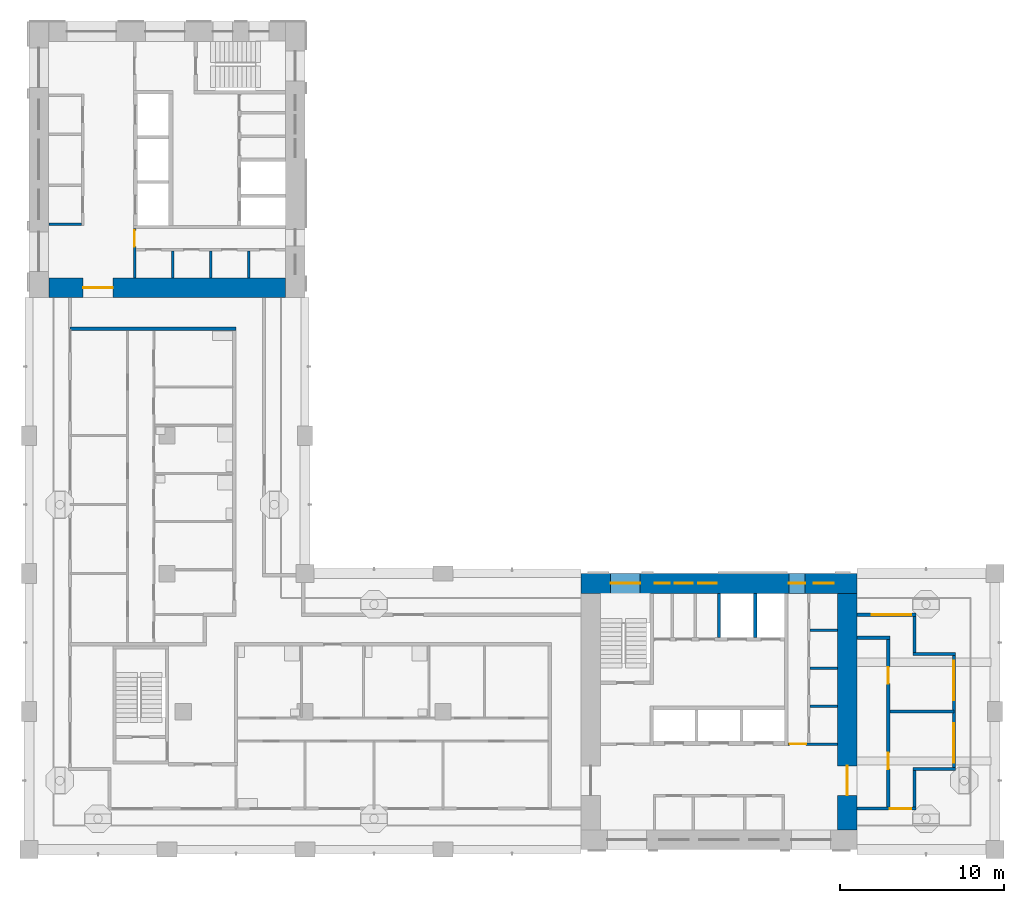
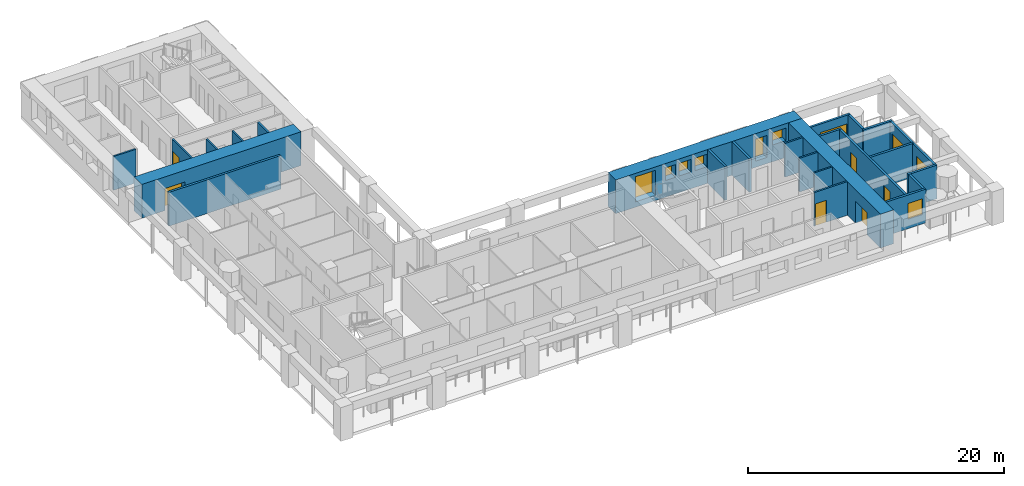
# One storey, part 5 of 13: 25 walls, 9 windows, 7 doors, 16 openings.
"""IFC4 building model written with IfcOpenShell, lengths in metres."""

from ifc_helpers import new_model, si_unit, direction, frame, frame_2d, origin, place, context, subcontext, project, spatial, rectangle, extrude, material, layer, layer_set, type_object, element, fill, save


model = new_model("IFC4")

# Units and contexts
model_context = context("Model", 3, precision=1e-05, world=origin(), true_north=direction((0.0, 1.0)))
body_context = subcontext(model_context, "Body", "Model", "MODEL_VIEW")
ifc_project = project(units=[si_unit("LENGTHUNIT", "METRE"), si_unit("AREAUNIT", "SQUARE_METRE"), si_unit("VOLUMEUNIT", "CUBIC_METRE"), si_unit("PLANEANGLEUNIT", "RADIAN"), si_unit("MASSUNIT", "GRAM", prefix="KILO")], contexts=[model_context])

# Site, building, storey
site_placement = place(None, origin())
site = spatial("IfcSite", under=ifc_project, at=site_placement, CompositionType="ELEMENT")
building_placement = place(site_placement, origin())
building = spatial("IfcBuilding", under=site, at=building_placement, Name="Vermilion Gate Residences", CompositionType="ELEMENT")
storey_placement = place(building_placement, frame((0.0, 0.0, 158.199951171875)))
storey = spatial("IfcBuildingStorey", under=building, at=storey_placement, Name="L40", CompositionType="ELEMENT", Elevation=158.199951171875)

# Wall, opening, door
ifc_material_1 = material(Name="Masonry blockwork", Category="masonry")
ifc_layer_1 = layer(ifc_material_1, 0.14990234375)
ifc_layer_set_1 = layer_set([ifc_layer_1], Name="BLOCKWORK PARTITION 150 EI 120")
wall_type_1 = type_object("IfcWallType", Name="BLOCKWORK PARTITION 150 EI 120", PredefinedType="PARTITIONING", material=ifc_layer_set_1)
wall_1_placement = place(storey_placement, frame((54.60009765625, 14.824951171875, 0.0), z_axis=(0.0, 0.0, 1.0), x_axis=(1.0, 0.0, 0.0)))
wall_1 = element("IfcWall", 1, at=wall_1_placement, inside=storey, type_object=wall_type_1, Name="Core room partition A40-ES-S", PredefinedType="PARTITIONING", context=body_context, shape_type="SweptSolid", body=[
    extrude(rectangle(XDim=3.0, YDim=0.14990234375, at=frame_2d((1.5, 0.0))), origin(), (0.0, 0.0, 1.0), 3.219970703125),
])
opening_1_placement = place(wall_1_placement, frame((0.10009765625, 0.0, 0.0)))
opening_1 = element("IfcOpeningElement", 2, at=opening_1_placement, cuts=wall_1, Name="Opening DK40016", PredefinedType="OPENING", context=body_context, shape_type="SweptSolid", body=[
    extrude(rectangle(XDim=1.0, YDim=2.10009765625, at=frame_2d((0.5, 1.050048828125))), frame((0.0, 0.0849609375, 0.0), z_axis=(0.0, -1.0, 0.0), x_axis=(1.0, 0.0, 0.0)), (0.0, 0.0, 1.0), 0.169921875),
])
ifc_material_2 = material(Name="Steel", Category="steel")
door_type_1 = type_object("IfcDoorType", Name="FIRE DOOR FD60 1000 X 2100", OperationType="SINGLE_SWING_LEFT", PredefinedType="DOOR", material=ifc_material_2)
door_1_placement = place(opening_1_placement, frame((1.0, 0.0, 0.0), z_axis=(0.0, 0.0, 1.0), x_axis=(-1.0, 0.0, 0.0)))
door_1 = element("IfcDoor", 3, at=door_1_placement, inside=storey, type_object=door_type_1, Name="Service corridor door A40", OperationType="SINGLE_SWING_LEFT", OverallHeight=2.10009765625, OverallWidth=1.0, PredefinedType="DOOR", context=body_context, shape_type="SweptSolid", body=[
    extrude(rectangle(XDim=1.0, YDim=2.10009765625, at=frame_2d((0.5, 1.050048828125))), frame((0.0, 0.02490234375, 0.0), z_axis=(0.0, -1.0, 0.0), x_axis=(1.0, 0.0, 0.0)), (0.0, 0.0, 1.0), 0.050048828125),
])
fill(opening_1, door_1)

# Walls
for number, where, z_axis, x_axis, name in (
    (4, (55.949951171875, 17.137451171875, 0.0), (0.0, 0.0, 1.0), (1.0, 0.0, 0.0), "Core room partition A40-ES-P0"),
    (5, (55.949951171875, 19.449951171875, 0.0), (0.0, 0.0, 1.0), (1.0, 0.0, 0.0), "Core room partition A40-ES-P1"),
    (6, (55.949951171875, 21.762451171875, 0.0), (0.0, 0.0, 1.0), (1.0, 0.0, 0.0), "Core room partition A40-ES-P2"),
):
    element("IfcWall", number, at=place(storey_placement, frame(where, z_axis=z_axis, x_axis=x_axis)), inside=storey, type_object=wall_type_1, Name=name, PredefinedType="PARTITIONING", context=body_context, shape_type="SweptSolid", body=[
        extrude(rectangle(XDim=1.650146484375, YDim=0.14990234375, at=frame_2d((0.8251953125, 0.0))), origin(), (0.0, 0.0, 1.0), 3.219970703125),
    ])
wall_2_placement = place(storey_placement, frame((9.60009765625, 46.47509765625, 0.0), z_axis=(0.0, 0.0, 1.0), x_axis=(1.0, 0.0, 0.0)))
element("IfcWall", 7, at=wall_2_placement, inside=storey, type_object=wall_type_1, Name="Core room partition B40-RW-E", PredefinedType="PARTITIONING", context=body_context, shape_type="SweptSolid", body=[
    extrude(rectangle(XDim=2.0, YDim=0.14990234375, at=frame_2d((1.0, 0.0))), origin(), (0.0, 0.0, 1.0), 3.219970703125),
])

# Wall, opening, door
wall_3_placement = place(storey_placement, frame((14.824951171875, 46.199951171875, 0.0), z_axis=(0.0, 0.0, 1.0), x_axis=(0.0, -1.0, 0.0)))
wall_3 = element("IfcWall", 8, at=wall_3_placement, inside=storey, type_object=wall_type_1, Name="Core room partition B40-ES-S", PredefinedType="PARTITIONING", context=body_context, shape_type="SweptSolid", body=[
    extrude(rectangle(XDim=3.0, YDim=0.14990234375, at=frame_2d((1.5, 0.0))), origin(), (0.0, 0.0, 1.0), 3.219970703125),
])
opening_2_placement = place(wall_3_placement, frame((0.10009765625, 0.0, 0.0)))
opening_2 = element("IfcOpeningElement", 9, at=opening_2_placement, cuts=wall_3, Name="Opening DK40115", PredefinedType="OPENING", context=body_context, shape_type="SweptSolid", body=[
    extrude(rectangle(XDim=1.0, YDim=2.10009765625, at=frame_2d((0.5, 1.050048828125))), frame((0.0, 0.0849609375, 0.0), z_axis=(0.0, -1.0, 0.0), x_axis=(1.0, 0.0, 0.0)), (0.0, 0.0, 1.0), 0.169921875),
])
door_2_placement = place(opening_2_placement, frame((1.0, 0.0, 0.0), z_axis=(0.0, 0.0, 1.0), x_axis=(-1.0, 0.0, 0.0)))
door_2 = element("IfcDoor", 10, at=door_2_placement, inside=storey, type_object=door_type_1, Name="Service corridor door B40", OperationType="SINGLE_SWING_LEFT", OverallHeight=2.10009765625, OverallWidth=1.0, PredefinedType="DOOR", context=body_context, shape_type="SweptSolid", body=[
    extrude(rectangle(XDim=1.0, YDim=2.10009765625, at=frame_2d((0.5, 1.050048828125))), frame((0.0, 0.02490234375, 0.0), z_axis=(0.0, -1.0, 0.0), x_axis=(1.0, 0.0, 0.0)), (0.0, 0.0, 1.0), 0.050048828125),
])
fill(opening_2, door_2)

# Walls
for number, where, z_axis, x_axis, name in (
    (11, (17.137451171875, 44.85009765625, 0.0), (0.0, 0.0, 1.0), (0.0, -1.0, 0.0), "Core room partition B40-ES-P0"),
    (12, (19.449951171875, 44.85009765625, 0.0), (0.0, 0.0, 1.0), (0.0, -1.0, 0.0), "Core room partition B40-ES-P1"),
    (13, (21.762451171875, 44.85009765625, 0.0), (0.0, 0.0, 1.0), (0.0, -1.0, 0.0), "Core room partition B40-ES-P2"),
):
    element("IfcWall", number, at=place(storey_placement, frame(where, z_axis=z_axis, x_axis=x_axis)), inside=storey, type_object=wall_type_1, Name=name, PredefinedType="PARTITIONING", context=body_context, shape_type="SweptSolid", body=[
        extrude(rectangle(XDim=1.650146484375, YDim=0.14990234375, at=frame_2d((0.8251953125, 0.0))), origin(), (0.0, 0.0, 1.0), 3.219970703125),
    ])

# Wall, opening, window
ifc_material_3 = material(Name="Insulated steel stud wall with terracotta rainscreen", Category="masonry")
ifc_layer_2 = layer(ifc_material_3, 0.199951171875)
ifc_layer_set_2 = layer_set([ifc_layer_2], Name="EXTERNAL WALL 200 TERRACOTTA RAINSCREEN")
wall_type_2 = type_object("IfcWallType", Name="EXTERNAL WALL 200 TERRACOTTA RAINSCREEN", PredefinedType="SOLIDWALL", material=ifc_layer_set_2)
wall_4_placement = place(storey_placement, frame((58.800048828125, 10.89990234375, 0.0), z_axis=(0.0, 0.0, 1.0), x_axis=(1.0, 0.0, 0.0)))
wall_4 = element("IfcWall", 14, at=wall_4_placement, inside=storey, type_object=wall_type_2, Name="External wall", PredefinedType="SOLIDWALL", context=body_context, shape_type="SweptSolid", body=[
    extrude(rectangle(XDim=3.599853515625, YDim=0.199951171875, at=frame_2d((1.7998046875, 0.0))), origin(), (0.0, 0.0, 1.0), 3.219970703125),
])
opening_3_placement = place(wall_4_placement, frame((2.0, 0.0, 0.89990234375)))
opening_3 = element("IfcOpeningElement", 15, at=opening_3_placement, cuts=wall_4, Name="Opening WE40015", PredefinedType="OPENING", context=body_context, shape_type="SweptSolid", body=[
    extrude(rectangle(XDim=1.300048828125, YDim=1.5, at=frame_2d((0.64990234375, 0.75))), frame((0.0, 0.10986328125, 0.0), z_axis=(0.0, -1.0, 0.0), x_axis=(1.0, 0.0, 0.0)), (0.0, 0.0, 1.0), 0.219970703125),
])
ifc_material_4 = material(Name="Aluminium and clear glass", Category="aluminium")
window_type_1 = type_object("IfcWindowType", Name="WINDOW 1300 X 1500", PartitioningType="SINGLE_PANEL", PredefinedType="WINDOW", material=ifc_material_4)
window_1_placement = place(opening_3_placement, origin())
window_1 = element("IfcWindow", 16, at=window_1_placement, inside=storey, type_object=window_type_1, Name="Window", OverallHeight=1.5, OverallWidth=1.300048828125, PartitioningType="SINGLE_PANEL", PredefinedType="WINDOW", context=body_context, shape_type="SweptSolid", body=[
    extrude(rectangle(XDim=1.300048828125, YDim=1.5, at=frame_2d((0.64990234375, 0.75))), frame((0.0, 0.030029296875, 0.0), z_axis=(0.0, -1.0, 0.0), x_axis=(1.0, 0.0, 0.0)), (0.0, 0.0, 1.0), 0.06005859375),
])
fill(opening_3, window_1)

# Walls
wall_5_placement = place(storey_placement, frame((62.300048828125, 11.0, 0.0), z_axis=(0.0, 0.0, 1.0), x_axis=(0.0, 1.0, 0.0)))
element("IfcWall", 17, at=wall_5_placement, inside=storey, type_object=wall_type_2, Name="External wall", PredefinedType="SOLIDWALL", context=body_context, shape_type="SweptSolid", body=[
    extrude(rectangle(XDim=2.199951171875, YDim=0.199951171875, at=frame_2d((1.10009765625, 0.0))), origin(), (0.0, 0.0, 1.0), 3.219970703125),
])
wall_6_placement = place(storey_placement, frame((62.199951171875, 13.300048828125, 0.0), z_axis=(0.0, 0.0, 1.0), x_axis=(1.0, 0.0, 0.0)))
element("IfcWall", 18, at=wall_6_placement, inside=storey, type_object=wall_type_2, Name="External wall", PredefinedType="SOLIDWALL", context=body_context, shape_type="SweptSolid", body=[
    extrude(rectangle(XDim=2.60009765625, YDim=0.199951171875, at=frame_2d((1.300048828125, 0.0))), origin(), (0.0, 0.0, 1.0), 3.219970703125),
])

# Wall, openings, door, window
wall_7_placement = place(storey_placement, frame((64.699951171875, 13.39990234375, 0.0), z_axis=(0.0, 0.0, 1.0), x_axis=(0.0, 1.0, 0.0)))
wall_7 = element("IfcWall", 19, at=wall_7_placement, inside=storey, type_object=wall_type_2, Name="External wall", PredefinedType="SOLIDWALL", context=body_context, shape_type="SweptSolid", body=[
    extrude(rectangle(XDim=6.800048828125, YDim=0.199951171875, at=frame_2d((3.39990234375, 0.0))), origin(), (0.0, 0.0, 1.0), 3.219970703125),
])
opening_4_placement = place(wall_7_placement, frame((0.300048828125, 0.0, 0.89990234375)))
opening_4 = element("IfcOpeningElement", 20, at=opening_4_placement, cuts=wall_7, Name="Opening WE40016", PredefinedType="OPENING", context=body_context, shape_type="SweptSolid", body=[
    extrude(rectangle(XDim=2.39990234375, YDim=1.5, at=frame_2d((1.199951171875, 0.75))), frame((0.0, 0.10986328125, 0.0), z_axis=(0.0, -1.0, 0.0), x_axis=(1.0, 0.0, 0.0)), (0.0, 0.0, 1.0), 0.219970703125),
])
opening_5_placement = place(wall_7_placement, frame((4.10009765625, 0.0, 0.0)))
opening_5 = element("IfcOpeningElement", 21, at=opening_5_placement, cuts=wall_7, Name="Opening DE40019", PredefinedType="OPENING", context=body_context, shape_type="SweptSolid", body=[
    extrude(rectangle(XDim=2.39990234375, YDim=2.199951171875, at=frame_2d((1.199951171875, 1.10009765625))), frame((0.0, 0.10986328125, 0.0), z_axis=(0.0, -1.0, 0.0), x_axis=(1.0, 0.0, 0.0)), (0.0, 0.0, 1.0), 0.219970703125),
])
ifc_material_5 = material(Name="Aluminium and clear glass", Category="aluminium")
door_type_2 = type_object("IfcDoorType", Name="SLIDING GLAZED DOOR 2400 X 2200", OperationType="DOUBLE_DOOR_SLIDING", PredefinedType="DOOR", material=ifc_material_5)
door_3_placement = place(opening_5_placement, origin())
door_3 = element("IfcDoor", 22, at=door_3_placement, inside=storey, type_object=door_type_2, Name="Loggia sliding door", OperationType="DOUBLE_DOOR_SLIDING", OverallHeight=2.199951171875, OverallWidth=2.39990234375, PredefinedType="DOOR", context=body_context, shape_type="SweptSolid", body=[
    extrude(rectangle(XDim=2.39990234375, YDim=2.199951171875, at=frame_2d((1.199951171875, 1.10009765625))), frame((0.0, 0.02490234375, 0.0), z_axis=(0.0, -1.0, 0.0), x_axis=(1.0, 0.0, 0.0)), (0.0, 0.0, 1.0), 0.050048828125),
])
fill(opening_5, door_3)
ifc_material_6 = material(Name="Aluminium and clear glass", Category="aluminium")
window_type_2 = type_object("IfcWindowType", Name="WINDOW 2400 X 1500", PartitioningType="SINGLE_PANEL", PredefinedType="WINDOW", material=ifc_material_6)
window_2_placement = place(opening_4_placement, origin())
window_2 = element("IfcWindow", 23, at=window_2_placement, inside=storey, type_object=window_type_2, Name="Window", OverallHeight=1.5, OverallWidth=2.39990234375, PartitioningType="SINGLE_PANEL", PredefinedType="WINDOW", context=body_context, shape_type="SweptSolid", body=[
    extrude(rectangle(XDim=2.39990234375, YDim=1.5, at=frame_2d((1.199951171875, 0.75))), frame((0.0, 0.030029296875, 0.0), z_axis=(0.0, -1.0, 0.0), x_axis=(1.0, 0.0, 0.0)), (0.0, 0.0, 1.0), 0.06005859375),
])
fill(opening_4, window_2)

# Walls
wall_8_placement = place(storey_placement, frame((64.800048828125, 20.300048828125, 0.0), z_axis=(0.0, 0.0, 1.0), x_axis=(-1.0, 0.0, 0.0)))
element("IfcWall", 24, at=wall_8_placement, inside=storey, type_object=wall_type_2, Name="External wall", PredefinedType="SOLIDWALL", context=body_context, shape_type="SweptSolid", body=[
    extrude(rectangle(XDim=2.60009765625, YDim=0.199951171875, at=frame_2d((1.300048828125, 0.0))), origin(), (0.0, 0.0, 1.0), 3.219970703125),
])
wall_9_placement = place(storey_placement, frame((62.300048828125, 20.39990234375, 0.0), z_axis=(0.0, 0.0, 1.0), x_axis=(0.0, 1.0, 0.0)))
element("IfcWall", 25, at=wall_9_placement, inside=storey, type_object=wall_type_2, Name="External wall", PredefinedType="SOLIDWALL", context=body_context, shape_type="SweptSolid", body=[
    extrude(rectangle(XDim=2.2001953125, YDim=0.199951171875, at=frame_2d((1.10009765625, 0.0))), origin(), (0.0, 0.0, 1.0), 3.219970703125),
])

# Wall, opening, window
wall_10_placement = place(storey_placement, frame((62.39990234375, 22.699951171875, 0.0), z_axis=(0.0, 0.0, 1.0), x_axis=(-1.0, 0.0, 0.0)))
wall_10 = element("IfcWall", 26, at=wall_10_placement, inside=storey, type_object=wall_type_2, Name="External wall", PredefinedType="SOLIDWALL", context=body_context, shape_type="SweptSolid", body=[
    extrude(rectangle(XDim=3.599853515625, YDim=0.199951171875, at=frame_2d((1.7998046875, 0.0))), origin(), (0.0, 0.0, 1.0), 3.219970703125),
])
opening_6_placement = place(wall_10_placement, frame((0.300048828125, 0.0, 0.89990234375)))
opening_6 = element("IfcOpeningElement", 27, at=opening_6_placement, cuts=wall_10, Name="Opening WE40018", PredefinedType="OPENING", context=body_context, shape_type="SweptSolid", body=[
    extrude(rectangle(XDim=2.39990234375, YDim=1.5, at=frame_2d((1.199951171875, 0.75))), frame((0.0, 0.10986328125, 0.0), z_axis=(0.0, -1.0, 0.0), x_axis=(1.0, 0.0, 0.0)), (0.0, 0.0, 1.0), 0.219970703125),
])
window_3_placement = place(opening_6_placement, origin())
window_3 = element("IfcWindow", 28, at=window_3_placement, inside=storey, type_object=window_type_2, Name="Window", OverallHeight=1.5, OverallWidth=2.39990234375, PartitioningType="SINGLE_PANEL", PredefinedType="WINDOW", context=body_context, shape_type="SweptSolid", body=[
    extrude(rectangle(XDim=2.39990234375, YDim=1.5, at=frame_2d((1.199951171875, 0.75))), frame((0.0, 0.030029296875, 0.0), z_axis=(0.0, -1.0, 0.0), x_axis=(1.0, 0.0, 0.0)), (0.0, 0.0, 1.0), 0.06005859375),
])
fill(opening_6, window_3)

# Walls
ifc_material_7 = material(Name="Fire-rated plasterboard on steel studs", Category="steel")
ifc_layer_3 = layer(ifc_material_7, 0.199951171875)
ifc_layer_set_3 = layer_set([ifc_layer_3], Name="PARTY WALL 200 EI 120")
wall_type_3 = type_object("IfcWallType", Name="PARTY WALL 200 EI 120", PredefinedType="PARTITIONING", material=ifc_layer_set_3)
wall_11_placement = place(storey_placement, frame((60.800048828125, 16.800048828125, 0.0), z_axis=(0.0, 0.0, 1.0), x_axis=(1.0, 0.0, 0.0)))
element("IfcWall", 29, at=wall_11_placement, inside=storey, type_object=wall_type_3, Name="Party and corridor wall", PredefinedType="PARTITIONING", context=body_context, shape_type="SweptSolid", body=[
    extrude(rectangle(XDim=3.89990234375, YDim=0.199951171875, at=frame_2d((1.949951171875, 0.0))), origin(), (0.0, 0.0, 1.0), 3.219970703125),
])
wall_12_placement = place(storey_placement, frame((58.800048828125, 21.300048828125, 0.0), z_axis=(0.0, 0.0, 1.0), x_axis=(1.0, 0.0, 0.0)))
element("IfcWall", 30, at=wall_12_placement, inside=storey, type_object=wall_type_3, Name="Party and corridor wall", PredefinedType="PARTITIONING", context=body_context, shape_type="SweptSolid", body=[
    extrude(rectangle(XDim=2.0, YDim=0.199951171875, at=frame_2d((1.0, 0.0))), origin(), (0.0, 0.0, 1.0), 3.219970703125),
])
wall_13_placement = place(storey_placement, frame((10.89990234375, 40.10009765625, 0.0), z_axis=(0.0, 0.0, 1.0), x_axis=(1.0, 0.0, 0.0)))
element("IfcWall", 31, at=wall_13_placement, inside=storey, type_object=wall_type_3, Name="Party and corridor wall", PredefinedType="PARTITIONING", context=body_context, shape_type="SweptSolid", body=[
    extrude(rectangle(XDim=10.10009765625, YDim=0.199951171875, at=frame_2d((5.050048828125, 0.0))), origin(), (0.0, 0.0, 1.0), 3.219970703125),
])

# Wall, openings, doors
wall_14_placement = place(storey_placement, frame((60.699951171875, 10.89990234375, 0.0), z_axis=(0.0, 0.0, 1.0), x_axis=(0.0, 1.0, 0.0)))
wall_14 = element("IfcWall", 32, at=wall_14_placement, inside=storey, type_object=wall_type_3, Name="Party and corridor wall", PredefinedType="PARTITIONING", context=body_context, shape_type="SweptSolid", body=[
    extrude(rectangle(XDim=10.300048828125, YDim=0.199951171875, at=frame_2d((5.14990234375, 0.0))), origin(), (0.0, 0.0, 1.0), 3.219970703125),
])
opening_7_placement = place(wall_14_placement, frame((2.39990234375, 0.0, 0.0)))
opening_7 = element("IfcOpeningElement", 33, at=opening_7_placement, cuts=wall_14, Name="Opening DA40024", PredefinedType="OPENING", context=body_context, shape_type="SweptSolid", body=[
    extrude(rectangle(XDim=1.0, YDim=2.10009765625, at=frame_2d((0.5, 1.050048828125))), frame((0.0, 0.10986328125, 0.0), z_axis=(0.0, -1.0, 0.0), x_axis=(1.0, 0.0, 0.0)), (0.0, 0.0, 1.0), 0.219970703125),
])
opening_8_placement = place(wall_14_placement, frame((7.60009765625, 0.0, 0.0)))
opening_8 = element("IfcOpeningElement", 34, at=opening_8_placement, cuts=wall_14, Name="Opening DA40025", PredefinedType="OPENING", context=body_context, shape_type="SweptSolid", body=[
    extrude(rectangle(XDim=1.0, YDim=2.10009765625, at=frame_2d((0.5, 1.050048828125))), frame((0.0, 0.10986328125, 0.0), z_axis=(0.0, -1.0, 0.0), x_axis=(1.0, 0.0, 0.0)), (0.0, 0.0, 1.0), 0.219970703125),
])
ifc_material_8 = material(Name="Steel", Category="steel")
door_type_3 = type_object("IfcDoorType", Name="ENTRANCE DOOR 1000 X 2100 FD30", OperationType="SINGLE_SWING_LEFT", PredefinedType="DOOR", material=ifc_material_8)
door_4_placement = place(opening_7_placement, frame((1.0, 0.0, 0.0), z_axis=(0.0, 0.0, 1.0), x_axis=(-1.0, 0.0, 0.0)))
door_4 = element("IfcDoor", 35, at=door_4_placement, inside=storey, type_object=door_type_3, Name="Entrance door", OperationType="SINGLE_SWING_RIGHT", OverallHeight=2.10009765625, OverallWidth=1.0, PredefinedType="DOOR", context=body_context, shape_type="SweptSolid", body=[
    extrude(rectangle(XDim=1.0, YDim=2.10009765625, at=frame_2d((0.5, 1.050048828125))), frame((0.0, 0.02490234375, 0.0), z_axis=(0.0, -1.0, 0.0), x_axis=(1.0, 0.0, 0.0)), (0.0, 0.0, 1.0), 0.050048828125),
])
fill(opening_7, door_4)
door_5_placement = place(opening_8_placement, frame((1.0, 0.0, 0.0), z_axis=(0.0, 0.0, 1.0), x_axis=(-1.0, 0.0, 0.0)))
door_5 = element("IfcDoor", 36, at=door_5_placement, inside=storey, type_object=door_type_3, Name="Entrance door", OperationType="SINGLE_SWING_RIGHT", OverallHeight=2.10009765625, OverallWidth=1.0, PredefinedType="DOOR", context=body_context, shape_type="SweptSolid", body=[
    extrude(rectangle(XDim=1.0, YDim=2.10009765625, at=frame_2d((0.5, 1.050048828125))), frame((0.0, 0.02490234375, 0.0), z_axis=(0.0, -1.0, 0.0), x_axis=(1.0, 0.0, 0.0)), (0.0, 0.0, 1.0), 0.050048828125),
])
fill(opening_8, door_5)

# Walls
ifc_material_9 = material(Name="Concrete C60", Category="concrete")
ifc_layer_4 = layer(ifc_material_9, 0.199951171875)
ifc_layer_set_4 = layer_set([ifc_layer_4], Name="RC CORE INTERNAL WALL 200 C60")
wall_type_4 = type_object("IfcWallType", Name="RC CORE INTERNAL WALL 200 C60", PredefinedType="SHEAR", material=ifc_layer_set_4)
for number, where, z_axis, x_axis, name in (
    (37, (50.39990234375, 21.300048828125, 0.0), (0.0, 0.0, 1.0), (0.0, 1.0, 0.0), "Core internal wall A40-FF-D0"),
    (38, (52.60009765625, 21.300048828125, 0.0), (0.0, 0.0, 1.0), (0.0, 1.0, 0.0), "Core internal wall A40-FF-D1"),
):
    element("IfcWall", number, at=place(storey_placement, frame(where, z_axis=z_axis, x_axis=x_axis)), inside=storey, type_object=wall_type_4, Name=name, PredefinedType="SHEAR", context=body_context, shape_type="SweptSolid", body=[
        extrude(rectangle(XDim=2.699951171875, YDim=0.199951171875, at=frame_2d((1.35009765625, 0.0))), origin(), (0.0, 0.0, 1.0), 3.219970703125),
    ])

# Wall, opening, door
ifc_material_10 = material(Name="Concrete C60", Category="concrete")
ifc_layer_5 = layer(ifc_material_10, 1.199951171875)
ifc_layer_set_5 = layer_set([ifc_layer_5], Name="RC CORE WALL 1200 C60")
wall_type_5 = type_object("IfcWallType", Name="RC CORE WALL 1200 C60", PredefinedType="SHEAR", material=ifc_layer_set_5)
wall_15_placement = place(storey_placement, frame((58.199951171875, 9.60009765625, 0.0), z_axis=(0.0, 0.0, 1.0), x_axis=(0.0, 1.0, 0.0)))
wall_15 = element("IfcWall", 39, at=wall_15_placement, inside=storey, type_object=wall_type_5, Name="Core wall A40-OUT-BK", PredefinedType="SHEAR", context=body_context, shape_type="SweptSolid", body=[
    extrude(rectangle(XDim=14.39990234375, YDim=1.199951171875, at=frame_2d((7.199951171875, 0.0))), origin(), (0.0, 0.0, 1.0), 3.219970703125),
])
opening_9_placement = place(wall_15_placement, frame((2.10009765625, 0.0, 0.0)))
opening_9 = element("IfcOpeningElement", 40, at=opening_9_placement, cuts=wall_15, Name="Opening DK40002", PredefinedType="OPENING", context=body_context, shape_type="SweptSolid", body=[
    extrude(rectangle(XDim=1.800048828125, YDim=2.10009765625, at=frame_2d((0.89990234375, 1.050048828125))), frame((0.0, 0.60986328125, 0.0), z_axis=(0.0, -1.0, 0.0), x_axis=(1.0, 0.0, 0.0)), (0.0, 0.0, 1.0), 1.219970703125),
])
ifc_material_11 = material(Name="Steel", Category="steel")
door_type_4 = type_object("IfcDoorType", Name="CORE LOBBY DOOR FD60 1800 X 2100", OperationType="DOUBLE_DOOR_SINGLE_SWING", PredefinedType="DOOR", material=ifc_material_11)
door_6_placement = place(opening_9_placement, origin())
door_6 = element("IfcDoor", 41, at=door_6_placement, inside=storey, type_object=door_type_4, Name="Core lobby door A40", OperationType="DOUBLE_DOOR_SINGLE_SWING", OverallHeight=2.10009765625, OverallWidth=1.800048828125, PredefinedType="DOOR", context=body_context, shape_type="SweptSolid", body=[
    extrude(rectangle(XDim=1.800048828125, YDim=2.10009765625, at=frame_2d((0.89990234375, 1.050048828125))), frame((0.0, 0.02490234375, 0.0), z_axis=(0.0, -1.0, 0.0), x_axis=(1.0, 0.0, 0.0)), (0.0, 0.0, 1.0), 0.050048828125),
])
fill(opening_9, door_6)

wall_16_placement = place(storey_placement, frame((9.60009765625, 42.60009765625, 0.0), z_axis=(0.0, 0.0, 1.0), x_axis=(1.0, 0.0, 0.0)))
wall_16 = element("IfcWall", 42, at=wall_16_placement, inside=storey, type_object=wall_type_5, Name="Core wall B40-OUT-BK", PredefinedType="SHEAR", context=body_context, shape_type="SweptSolid", body=[
    extrude(rectangle(XDim=14.39990234375, YDim=1.199951171875, at=frame_2d((7.199951171875, 0.0))), origin(), (0.0, 0.0, 1.0), 3.219970703125),
])
opening_10_placement = place(wall_16_placement, frame((2.10009765625, 0.0, 0.0)))
opening_10 = element("IfcOpeningElement", 43, at=opening_10_placement, cuts=wall_16, Name="Opening DK40101", PredefinedType="OPENING", context=body_context, shape_type="SweptSolid", body=[
    extrude(rectangle(XDim=1.800048828125, YDim=2.10009765625, at=frame_2d((0.89990234375, 1.050048828125))), frame((0.0, 0.60986328125, 0.0), z_axis=(0.0, -1.0, 0.0), x_axis=(1.0, 0.0, 0.0)), (0.0, 0.0, 1.0), 1.219970703125),
])
door_7_placement = place(opening_10_placement, frame((1.800048828125, 0.0, 0.0), z_axis=(0.0, 0.0, 1.0), x_axis=(-1.0, 0.0, 0.0)))
door_7 = element("IfcDoor", 44, at=door_7_placement, inside=storey, type_object=door_type_4, Name="Core lobby door B40", OperationType="DOUBLE_DOOR_SINGLE_SWING", OverallHeight=2.10009765625, OverallWidth=1.800048828125, PredefinedType="DOOR", context=body_context, shape_type="SweptSolid", body=[
    extrude(rectangle(XDim=1.800048828125, YDim=2.10009765625, at=frame_2d((0.89990234375, 1.050048828125))), frame((0.0, 0.02490234375, 0.0), z_axis=(0.0, -1.0, 0.0), x_axis=(1.0, 0.0, 0.0)), (0.0, 0.0, 1.0), 0.050048828125),
])
fill(opening_10, door_7)

# Wall, openings, windows
ifc_material_12 = material(Name="Concrete C60 red-oxide pigmented", Category="concrete")
ifc_layer_6 = layer(ifc_material_12, 1.199951171875)
ifc_layer_set_6 = layer_set([ifc_layer_6], Name="RC CORE WALL 1200 C60 RED OXIDE")
wall_type_6 = type_object("IfcWallType", Name="RC CORE WALL 1200 C60 RED OXIDE", PredefinedType="SHEAR", material=ifc_layer_set_6)
wall_17_placement = place(storey_placement, frame((42.0, 24.60009765625, 0.0), z_axis=(0.0, 0.0, 1.0), x_axis=(1.0, 0.0, 0.0)))
wall_17 = element("IfcWall", 45, at=wall_17_placement, inside=storey, type_object=wall_type_6, Name="Core wall A40-OUT-B1", PredefinedType="SHEAR", context=body_context, shape_type="SweptSolid", body=[
    extrude(rectangle(XDim=16.800048828125, YDim=1.199951171875, at=frame_2d((8.39990234375, 0.0))), origin(), (0.0, 0.0, 1.0), 3.219970703125),
])
opening_11_placement = place(wall_17_placement, frame((1.800048828125, 0.0, 0.5)))
opening_11 = element("IfcOpeningElement", 46, at=opening_11_placement, cuts=wall_17, Name="Opening WKA4006", PredefinedType="OPENING", context=body_context, shape_type="SweptSolid", body=[
    extrude(rectangle(XDim=1.800048828125, YDim=2.39990234375, at=frame_2d((0.89990234375, 1.199951171875))), frame((0.0, 0.60986328125, 0.0), z_axis=(0.0, -1.0, 0.0), x_axis=(1.0, 0.0, 0.0)), (0.0, 0.0, 1.0), 1.219970703125),
])
opening_12_placement = place(wall_17_placement, frame((4.489990234375, 0.0, 1.60009765625)))
opening_12 = element("IfcOpeningElement", 47, at=opening_12_placement, cuts=wall_17, Name="Opening WKA4007", PredefinedType="OPENING", context=body_context, shape_type="SweptSolid", body=[
    extrude(rectangle(XDim=0.89990234375, YDim=1.199951171875, at=frame_2d((0.449951171875, 0.60009765625))), frame((0.0, 0.60986328125, 0.0), z_axis=(0.0, -1.0, 0.0), x_axis=(1.0, 0.0, 0.0)), (0.0, 0.0, 1.0), 1.219970703125),
])
opening_13_placement = place(wall_17_placement, frame((5.7099609375, 0.0, 1.60009765625)))
opening_13 = element("IfcOpeningElement", 48, at=opening_13_placement, cuts=wall_17, Name="Opening WKA4008", PredefinedType="OPENING", context=body_context, shape_type="SweptSolid", body=[
    extrude(rectangle(XDim=1.10009765625, YDim=1.199951171875, at=frame_2d((0.550048828125, 0.60009765625))), frame((0.0, 0.60986328125, 0.0), z_axis=(0.0, -1.0, 0.0), x_axis=(1.0, 0.0, 0.0)), (0.0, 0.0, 1.0), 1.219970703125),
])
opening_14_placement = place(wall_17_placement, frame((7.14990234375, 0.0, 1.60009765625)))
opening_14 = element("IfcOpeningElement", 49, at=opening_14_placement, cuts=wall_17, Name="Opening WKA4009", PredefinedType="OPENING", context=body_context, shape_type="SweptSolid", body=[
    extrude(rectangle(XDim=1.10009765625, YDim=1.199951171875, at=frame_2d((0.550048828125, 0.60009765625))), frame((0.0, 0.60986328125, 0.0), z_axis=(0.0, -1.0, 0.0), x_axis=(1.0, 0.0, 0.0)), (0.0, 0.0, 1.0), 1.219970703125),
])
opening_15_placement = place(wall_17_placement, frame((12.64990234375, 0.0, 0.60009765625)))
opening_15 = element("IfcOpeningElement", 50, at=opening_15_placement, cuts=wall_17, Name="Opening WKA4010", PredefinedType="OPENING", context=body_context, shape_type="SweptSolid", body=[
    extrude(rectangle(XDim=1.0, YDim=2.10009765625, at=frame_2d((0.5, 1.050048828125))), frame((0.0, 0.60986328125, 0.0), z_axis=(0.0, -1.0, 0.0), x_axis=(1.0, 0.0, 0.0)), (0.0, 0.0, 1.0), 1.219970703125),
])
opening_16_placement = place(wall_17_placement, frame((14.175048828125, 0.0, 1.60009765625)))
opening_16 = element("IfcOpeningElement", 51, at=opening_16_placement, cuts=wall_17, Name="Opening WKA4011", PredefinedType="OPENING", context=body_context, shape_type="SweptSolid", body=[
    extrude(rectangle(XDim=1.199951171875, YDim=1.199951171875, at=frame_2d((0.60009765625, 0.60009765625))), frame((0.0, 0.60986328125, 0.0), z_axis=(0.0, -1.0, 0.0), x_axis=(1.0, 0.0, 0.0)), (0.0, 0.0, 1.0), 1.219970703125),
])
ifc_material_13 = material(Name="Aluminium and clear glass", Category="aluminium")
window_type_3 = type_object("IfcWindowType", Name="CORE CORRIDOR WINDOW 1000 X 2100", PartitioningType="SINGLE_PANEL", PredefinedType="WINDOW", material=ifc_material_13)
window_4_placement = place(opening_15_placement, origin())
window_4 = element("IfcWindow", 52, at=window_4_placement, inside=storey, type_object=window_type_3, Name="Core corridor window", OverallHeight=2.10009765625, OverallWidth=1.0, PartitioningType="SINGLE_PANEL", PredefinedType="WINDOW", context=body_context, shape_type="SweptSolid", body=[
    extrude(rectangle(XDim=1.0, YDim=2.10009765625, at=frame_2d((0.5, 1.050048828125))), frame((0.0, 0.030029296875, 0.0), z_axis=(0.0, -1.0, 0.0), x_axis=(1.0, 0.0, 0.0)), (0.0, 0.0, 1.0), 0.06005859375),
])
fill(opening_15, window_4)
ifc_material_14 = material(Name="Aluminium frame with louvre blades", Category="aluminium")
window_type_4 = type_object("IfcWindowType", Name="CORE LOUVRE 1100 X 1200", PartitioningType="SINGLE_PANEL", PredefinedType="WINDOW", material=ifc_material_14)
window_5_placement = place(opening_13_placement, origin())
window_5 = element("IfcWindow", 53, at=window_5_placement, inside=storey, type_object=window_type_4, Name="Core louvre", OverallHeight=1.199951171875, OverallWidth=1.10009765625, PartitioningType="SINGLE_PANEL", PredefinedType="WINDOW", context=body_context, shape_type="SweptSolid", body=[
    extrude(rectangle(XDim=1.10009765625, YDim=1.199951171875, at=frame_2d((0.550048828125, 0.60009765625))), frame((0.0, 0.030029296875, 0.0), z_axis=(0.0, -1.0, 0.0), x_axis=(1.0, 0.0, 0.0)), (0.0, 0.0, 1.0), 0.06005859375),
])
fill(opening_13, window_5)
window_6_placement = place(opening_14_placement, origin())
window_6 = element("IfcWindow", 54, at=window_6_placement, inside=storey, type_object=window_type_4, Name="Core louvre", OverallHeight=1.199951171875, OverallWidth=1.10009765625, PartitioningType="SINGLE_PANEL", PredefinedType="WINDOW", context=body_context, shape_type="SweptSolid", body=[
    extrude(rectangle(XDim=1.10009765625, YDim=1.199951171875, at=frame_2d((0.550048828125, 0.60009765625))), frame((0.0, 0.030029296875, 0.0), z_axis=(0.0, -1.0, 0.0), x_axis=(1.0, 0.0, 0.0)), (0.0, 0.0, 1.0), 0.06005859375),
])
fill(opening_14, window_6)
ifc_material_15 = material(Name="Aluminium frame with louvre blades", Category="aluminium")
window_type_5 = type_object("IfcWindowType", Name="CORE LOUVRE 1200 X 1200", PartitioningType="SINGLE_PANEL", PredefinedType="WINDOW", material=ifc_material_15)
window_7_placement = place(opening_16_placement, origin())
window_7 = element("IfcWindow", 55, at=window_7_placement, inside=storey, type_object=window_type_5, Name="Core louvre", OverallHeight=1.199951171875, OverallWidth=1.199951171875, PartitioningType="SINGLE_PANEL", PredefinedType="WINDOW", context=body_context, shape_type="SweptSolid", body=[
    extrude(rectangle(XDim=1.199951171875, YDim=1.199951171875, at=frame_2d((0.60009765625, 0.60009765625))), frame((0.0, 0.030029296875, 0.0), z_axis=(0.0, -1.0, 0.0), x_axis=(1.0, 0.0, 0.0)), (0.0, 0.0, 1.0), 0.06005859375),
])
fill(opening_16, window_7)
ifc_material_16 = material(Name="Aluminium frame with louvre blades", Category="aluminium")
window_type_6 = type_object("IfcWindowType", Name="CORE LOUVRE 900 X 1200", PartitioningType="SINGLE_PANEL", PredefinedType="WINDOW", material=ifc_material_16)
window_8_placement = place(opening_12_placement, origin())
window_8 = element("IfcWindow", 56, at=window_8_placement, inside=storey, type_object=window_type_6, Name="Core louvre", OverallHeight=1.199951171875, OverallWidth=0.89990234375, PartitioningType="SINGLE_PANEL", PredefinedType="WINDOW", context=body_context, shape_type="SweptSolid", body=[
    extrude(rectangle(XDim=0.89990234375, YDim=1.199951171875, at=frame_2d((0.449951171875, 0.60009765625))), frame((0.0, 0.030029296875, 0.0), z_axis=(0.0, -1.0, 0.0), x_axis=(1.0, 0.0, 0.0)), (0.0, 0.0, 1.0), 0.06005859375),
])
fill(opening_12, window_8)
ifc_material_17 = material(Name="Aluminium and clear glass", Category="aluminium")
window_type_7 = type_object("IfcWindowType", Name="CORE STAIR WINDOW 1800 X 2400", PartitioningType="SINGLE_PANEL", PredefinedType="WINDOW", material=ifc_material_17)
window_9_placement = place(opening_11_placement, origin())
window_9 = element("IfcWindow", 57, at=window_9_placement, inside=storey, type_object=window_type_7, Name="Core stair window", OverallHeight=2.39990234375, OverallWidth=1.800048828125, PartitioningType="SINGLE_PANEL", PredefinedType="WINDOW", context=body_context, shape_type="SweptSolid", body=[
    extrude(rectangle(XDim=1.800048828125, YDim=2.39990234375, at=frame_2d((0.89990234375, 1.199951171875))), frame((0.0, 0.030029296875, 0.0), z_axis=(0.0, -1.0, 0.0), x_axis=(1.0, 0.0, 0.0)), (0.0, 0.0, 1.0), 0.06005859375),
])
fill(opening_11, window_9)

save(model, "model.ifc")
